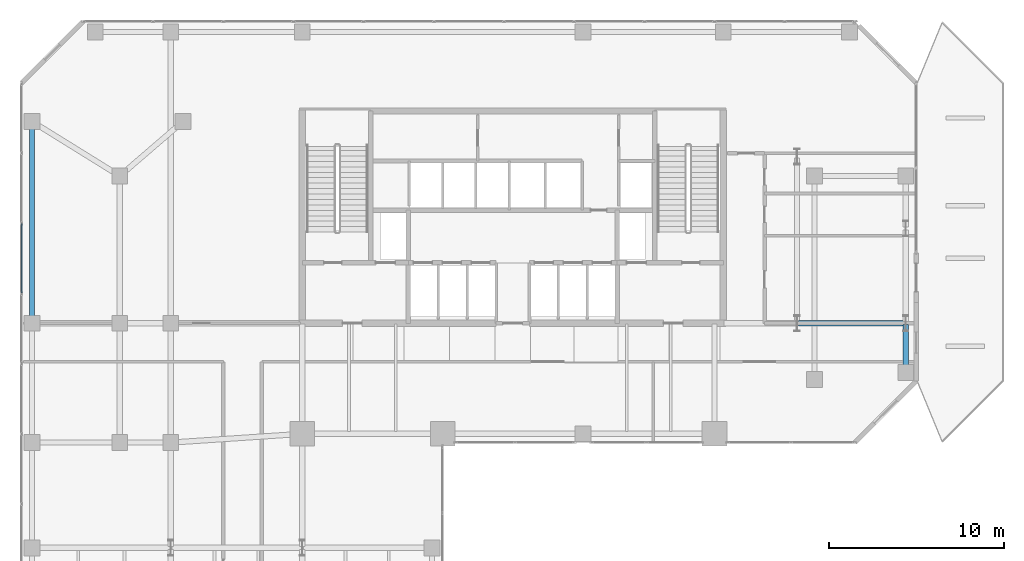
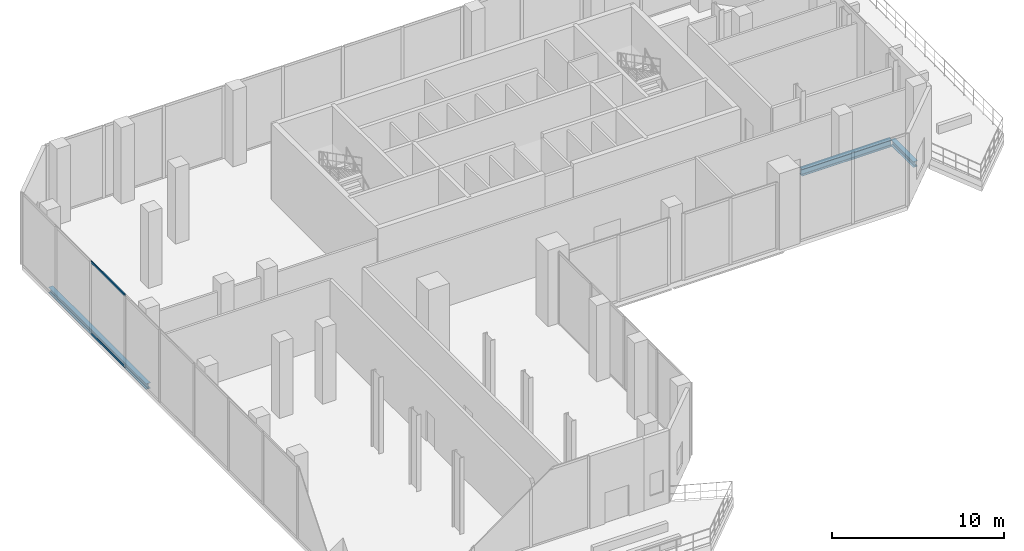
# One storey, part 12 of 24: 3 beams, 2 members, 1 element without a shape of its own.
"""IFC4 building model written with IfcOpenShell, lengths in metres."""

import ifcopenshell
import ifcopenshell.guid

model = None  # the IFC model being written
_history = None  # IfcOwnerHistory: only IFC2X3 demands one
_inside = {}  # id of a spatial element -> (the spatial element, [elements in it])
_under = {}  # id of a project, library or spatial element -> (it, [spatial elements below it])
_declared = {}  # id of a project -> (the project, [libraries it declares])
_typed = {}  # id of a type object -> (the type object, [elements of that type])
_made_of = {}  # id of a material, layer set ... -> (it, [elements and type objects made of it])


def new_model(schema):
    """Start an empty IFC model of exactly this schema.

    Asked for "IFC4X3", IfcOpenShell would pick the latest addendum, in which some entities
    have other attributes; the version numbers below select the first issue.
    IFC2X3 requires an IfcOwnerHistory on every rooted entity: one is made here for all.
    """
    global model, _history
    if schema == "IFC4X3":
        model = ifcopenshell.file(schema_version=(4, 3, 0, 0))
    else:
        model = ifcopenshell.file(schema=schema)
    _inside.clear()
    _under.clear()
    _declared.clear()
    _typed.clear()
    _made_of.clear()
    _history = None
    if model.schema == "IFC2X3":
        org = make("IfcOrganization", Name="unknown")
        user = make(
            "IfcPersonAndOrganization",
            ThePerson=make("IfcPerson", FamilyName="unknown"),
            TheOrganization=org,
        )
        app = make(
            "IfcApplication",
            ApplicationDeveloper=org,
            Version="unknown",
            ApplicationFullName="unknown",
            ApplicationIdentifier="unknown",
        )
        _history = make(
            "IfcOwnerHistory",
            OwningUser=user,
            OwningApplication=app,
            ChangeAction="ADDED",
            CreationDate=0,
        )
    return model


def make(cls, **values):
    """One entity of the class cls with the attributes given. An attribute that is None is left unset."""
    return model.create_entity(
        cls, **{name: value for name, value in values.items() if value is not None}
    )


def rooted(cls, **values):
    """An entity with a GlobalId (a new one), such as an element, a storey or a relation."""
    return make(cls, GlobalId=ifcopenshell.guid.new(), OwnerHistory=_history, **values)


def si_unit(unit_type, name, prefix=None):
    """IfcSIUnit, for example si_unit("LENGTHUNIT", "METRE", prefix="MILLI")."""
    return make("IfcSIUnit", UnitType=unit_type, Prefix=prefix, Name=name)


def assignment(units):
    """IfcUnitAssignment: the units of a project."""
    return None if units is None else make("IfcUnitAssignment", Units=units)


def point(xyz):
    """IfcCartesianPoint."""
    return None if xyz is None else make("IfcCartesianPoint", Coordinates=xyz)


def direction(xyz):
    """IfcDirection."""
    return None if xyz is None else make("IfcDirection", DirectionRatios=xyz)


def frame(location, z_axis=None, x_axis=None):
    """IfcAxis2Placement3D, a coordinate frame: its origin and axes. An axis left out is left unset."""
    return make(
        "IfcAxis2Placement3D",
        Location=point(location),
        Axis=direction(z_axis),
        RefDirection=direction(x_axis),
    )


def frame_2d(location, x_axis=None):
    """IfcAxis2Placement2D, a coordinate frame in the plane: its origin and x axis."""
    return make(
        "IfcAxis2Placement2D", Location=point(location), RefDirection=direction(x_axis)
    )


def origin():
    """The frame at (0, 0, 0) with its axes left unset."""
    return frame((0.0, 0.0, 0.0))


def origin_2d():
    """The frame at (0, 0) in the plane with its x axis left unset."""
    return frame_2d((0.0, 0.0))


def place(relative_to, where):
    """IfcLocalPlacement: puts the frame where relative to a parent placement (None: the world)."""
    return make(
        "IfcLocalPlacement", PlacementRelTo=relative_to, RelativePlacement=where
    )


def context(
    kind, dimensions, precision=None, world=None, true_north=None, identifier=None
):
    """IfcGeometricRepresentationContext, for example the 3D "Model" context."""
    return make(
        "IfcGeometricRepresentationContext",
        ContextIdentifier=identifier,
        ContextType=kind,
        CoordinateSpaceDimension=dimensions,
        Precision=precision,
        WorldCoordinateSystem=world,
        TrueNorth=true_north,
    )


def subcontext(parent, identifier, kind, view, scale=None):
    """IfcGeometricRepresentationSubContext, for example "Body" below "Model"."""
    return make(
        "IfcGeometricRepresentationSubContext",
        ContextIdentifier=identifier,
        ContextType=kind,
        ParentContext=parent,
        TargetScale=scale,
        TargetView=view,
    )


def project(units=None, contexts=None):
    """IfcProject with its units and contexts."""
    return rooted(
        "IfcProject",
        Name="project",
        RepresentationContexts=contexts,
        UnitsInContext=assignment(units),
    )


def spatial(cls, under=None, at=None, **own):
    """A site, building, storey or space (cls), placed at a placement, below another one or the project."""
    s = rooted(cls, ObjectPlacement=at, **own)
    if under is not None:
        _under.setdefault(under.id(), (under, []))[1].append(s)
    return s


def profile(cls, at=None, kind="AREA", **sizes):
    """A parametric profile (cls). Its sizes go by their IFC names, for example OverallWidth=200.0."""
    return make(cls, ProfileType=kind, Position=at, **sizes)


def hollow_rectangle(**sizes):
    """IfcRectangleHollowProfileDef."""
    return profile("IfcRectangleHollowProfileDef", **sizes)


def i_section(**sizes):
    """IfcIShapeProfileDef."""
    return profile("IfcIShapeProfileDef", **sizes)


def extrude(swept, where, along, depth):
    """IfcExtrudedAreaSolid: the profile swept, set in the frame where, extruded along a direction by depth."""
    return make(
        "IfcExtrudedAreaSolid",
        SweptArea=swept,
        Position=where,
        ExtrudedDirection=direction(along),
        Depth=depth,
    )


def shape(context_of_items, identifier, shape_type, items):
    """IfcShapeRepresentation: the items that make up one representation, for example the "Body"."""
    return make(
        "IfcShapeRepresentation",
        ContextOfItems=context_of_items,
        RepresentationIdentifier=identifier,
        RepresentationType=shape_type,
        Items=items,
    )


def material(Name=None, Category=None):
    """IfcMaterial."""
    return make("IfcMaterial", Name=Name, Category=Category)


def layer(
    of_material, thickness, ventilated=None, Name=None, Category=None, Priority=None
):
    """IfcMaterialLayer: one layer of a wall or slab, of a material (None: an air gap)."""
    return make(
        "IfcMaterialLayer",
        Material=of_material,
        LayerThickness=thickness,
        IsVentilated=ventilated,
        Name=Name,
        Category=Category,
        Priority=Priority,
    )


def layer_set(layers, Name=None):
    """IfcMaterialLayerSet."""
    return make("IfcMaterialLayerSet", MaterialLayers=layers, LayerSetName=Name)


def material_profile(
    of_material, cross_section, Name=None, Category=None, Priority=None
):
    """IfcMaterialProfile: a cross section and its material."""
    return make(
        "IfcMaterialProfile",
        Name=Name,
        Material=of_material,
        Profile=cross_section,
        Priority=Priority,
        Category=Category,
    )


def profile_set(profiles, Name=None, composite=None):
    """IfcMaterialProfileSet."""
    return make(
        "IfcMaterialProfileSet",
        Name=Name,
        MaterialProfiles=profiles,
        CompositeProfile=composite,
    )


def made_of(thing, what):
    """Note that an element or type object is made of a material, layer set ...; save() writes the relation."""
    if what is not None:
        _made_of.setdefault(what.id(), (what, []))[1].append(thing)
    return thing


def type_object(cls, material=None, **own):
    """A type object (cls), such as IfcWallType, which elements share."""
    return made_of(rooted(cls, **own), material)


def element(
    cls,
    number,
    at=None,
    inside=None,
    cuts=None,
    type_object=None,
    material=None,
    context=None,
    identifier="Body",
    shape_type=None,
    held_by="IfcProductDefinitionShape",
    body=None,
    shapes=None,
    **own,
):
    """One element of the class cls, such as IfcWall. Its Tag is "e" and its number.

    at: its placement. inside: the storey or other place that contains it. cuts: it is an
    opening in that element (IfcRelVoidsElement). A single representation is given by context,
    identifier, shape_type and body (its items); several are given by shapes. held_by: the class
    of the entity that holds the representations. save() writes the other relations.
    """
    e = rooted(cls, Tag="e%d" % number, ObjectPlacement=at, **own)
    if body is not None:
        shapes = [shape(context, identifier, shape_type, body)]
    if shapes is not None:
        e.Representation = make(held_by, Representations=shapes)
    if inside is not None:
        _inside.setdefault(inside.id(), (inside, []))[1].append(e)
    if cuts is not None:
        rooted(
            "IfcRelVoidsElement", RelatingBuildingElement=cuts, RelatedOpeningElement=e
        )
    if type_object is not None:
        _typed.setdefault(type_object.id(), (type_object, []))[1].append(e)
    return made_of(e, material)


def aggregate(whole, parts):
    """IfcRelAggregates: a whole, such as a stair, and the parts it consists of."""
    return rooted("IfcRelAggregates", RelatingObject=whole, RelatedObjects=parts)


def save(model, path):
    """Write the relations noted so far, then the file.

    IfcRelAggregates (storeys below a building ...), IfcRelContainedInSpatialStructure (elements
    in a storey), IfcRelDefinesByType, IfcRelAssociatesMaterial and IfcRelDeclares: one each for
    every whole, place, type object, material and project.
    """
    for whole, parts in _under.values():
        aggregate(whole, parts)
    for where, things in _inside.values():
        rooted(
            "IfcRelContainedInSpatialStructure",
            RelatedElements=things,
            RelatingStructure=where,
        )
    for kind, things in _typed.values():
        rooted("IfcRelDefinesByType", RelatedObjects=things, RelatingType=kind)
    for what, things in _made_of.values():
        rooted("IfcRelAssociatesMaterial", RelatedObjects=things, RelatingMaterial=what)
    for by, libraries in _declared.values():
        rooted("IfcRelDeclares", RelatingContext=by, RelatedDefinitions=libraries)
    model.write(path)


model = new_model("IFC4")

# Units and contexts
model_context = context("Model", 3, precision=1e-05, world=origin(), true_north=direction((0.0, 1.0)))
body_context = subcontext(model_context, "Body", "Model", "MODEL_VIEW")
ifc_project = project(units=[si_unit("LENGTHUNIT", "METRE"), si_unit("AREAUNIT", "SQUARE_METRE"), si_unit("VOLUMEUNIT", "CUBIC_METRE"), si_unit("PLANEANGLEUNIT", "RADIAN"), si_unit("MASSUNIT", "GRAM", prefix="KILO")], contexts=[model_context])

# Site, building, storey
site_placement = place(None, origin())
site = spatial("IfcSite", under=ifc_project, at=site_placement, CompositionType="ELEMENT")
building_placement = place(site_placement, origin())
building = spatial("IfcBuilding", under=site, at=building_placement, Name="Catumbela Crestline Tower", CompositionType="ELEMENT")
storey_placement = place(building_placement, frame((0.0, 0.0, 84.6)))
storey = spatial("IfcBuildingStorey", under=building, at=storey_placement, Name="L21", CompositionType="ELEMENT", Elevation=84.6)

# Beams
ifc_material_1 = material(Name="Structural steel S355J2", Category="steel")
ifc_material_profile_1 = material_profile(ifc_material_1, i_section(OverallWidth=0.3, OverallDepth=0.49, WebThickness=0.012, FlangeThickness=0.023, FilletRadius=0.027, at=origin_2d()), Name="HEA 500")
ifc_profile_set_1 = profile_set([ifc_material_profile_1], Name="Structural steel S355J2")
beam_type_1 = type_object("IfcBeamType", Name="BG-HEA500", PredefinedType="BEAM", material=ifc_profile_set_1)
beam_1_placement = place(storey_placement, frame((44.28, 30.8, -0.595), z_axis=(1.0, 0.0, 0.0), x_axis=(0.0, 1.0, 0.0)))
element("IfcBeam", 1, at=beam_1_placement, inside=storey, type_object=beam_type_1, Name="L21 Beam BM-L21-M11", PredefinedType="BEAM", context=body_context, shape_type="SweptSolid", body=[
    extrude(i_section(OverallWidth=0.3, OverallDepth=0.49, WebThickness=0.012, FlangeThickness=0.023, FilletRadius=0.027, at=origin_2d()), origin(), (0.0, 0.0, 1.0), 6.04),
])
ifc_material_profile_2 = material_profile(ifc_material_1, i_section(OverallWidth=0.3, OverallDepth=0.4, WebThickness=0.0135, FlangeThickness=0.024, FilletRadius=0.027, at=origin_2d()), Name="HEB 400")
ifc_profile_set_2 = profile_set([ifc_material_profile_2], Name="Structural steel S355J2")
beam_type_2 = type_object("IfcBeamType", Name="BS-HEB400", PredefinedType="SPANDREL", material=ifc_profile_set_2)
beam_2_placement = place(storey_placement, frame((0.6, 30.88, -0.55), z_axis=(0.0, 1.0, 0.0), x_axis=(-1.0, 0.0, 0.0)))
element("IfcBeam", 2, at=beam_2_placement, inside=storey, type_object=beam_type_2, Name="L21 Spandrel SP-L21-SN23", PredefinedType="SPANDREL", context=body_context, shape_type="SweptSolid", body=[
    extrude(i_section(OverallWidth=0.3, OverallDepth=0.4, WebThickness=0.0135, FlangeThickness=0.024, FilletRadius=0.027, at=origin_2d()), origin(), (0.0, 0.0, 1.0), 11.34),
])
beam_3_placement = place(storey_placement, frame((50.4, 28.08, -0.55), z_axis=(0.0, 1.0, 0.0), x_axis=(-1.0, 0.0, 0.0)))
element("IfcBeam", 3, at=beam_3_placement, inside=storey, type_object=beam_type_2, Name="L21 Spandrel SP-L21-SN34", PredefinedType="SPANDREL", context=body_context, shape_type="SweptSolid", body=[
    extrude(i_section(OverallWidth=0.3, OverallDepth=0.4, WebThickness=0.0135, FlangeThickness=0.024, FilletRadius=0.027, at=origin_2d()), origin(), (0.0, 0.0, 1.0), 2.64),
])

# Curtain wall, members
ifc_material_2 = material(Name="Aluminium alloy AW-6060-T66", Category="aluminium")
ifc_layer = layer(ifc_material_2, 0.18, Name="Aluminium alloy AW-6060-T66")
ifc_layer_set = layer_set([ifc_layer], Name="Aluminium alloy AW-6060-T66")
curtain_wall_type = type_object("IfcCurtainWallType", Name="CWU-SKY", PredefinedType="USERDEFINED", material=ifc_layer_set)
curtain_wall_placement = place(storey_placement, origin())
curtain_wall = element("IfcCurtainWall", 4, at=curtain_wall_placement, inside=storey, type_object=curtain_wall_type, Name="L21 Unitised Curtain Wall CW-L21-E9S1", ObjectType="UNITISED", PredefinedType="USERDEFINED")
ifc_material_profile_3 = material_profile(ifc_material_2, hollow_rectangle(XDim=0.06, YDim=0.16, WallThickness=0.004, at=origin_2d()), Name="ALU 160x60x4")
ifc_profile_set_3 = profile_set([ifc_material_profile_3], Name="Aluminium alloy AW-6060-T66")
member_type = type_object("IfcMemberType", Name="TRN-160X60", PredefinedType="USERDEFINED", material=ifc_profile_set_3)
member_1_placement = place(storey_placement, frame((0.0, 36.4675, 0.03), z_axis=(0.0, -1.0, 0.0), x_axis=(1.0, 0.0, 0.0)))
member_1 = element("IfcMember", 5, at=member_1_placement, type_object=member_type, Name="CWU-SKY transom 3.1", ObjectType="TRANSOM", PredefinedType="USERDEFINED", context=body_context, shape_type="SweptSolid", body=[
    extrude(hollow_rectangle(XDim=0.06, YDim=0.16, WallThickness=0.004, at=origin_2d()), origin(), (0.0, 0.0, 1.0), 3.935),
])
member_2_placement = place(storey_placement, frame((0.0, 36.4675, 5.1), z_axis=(0.0, -1.0, 0.0), x_axis=(1.0, 0.0, 0.0)))
member_2 = element("IfcMember", 6, at=member_2_placement, type_object=member_type, Name="CWU-SKY transom 3.2", ObjectType="TRANSOM", PredefinedType="USERDEFINED", context=body_context, shape_type="SweptSolid", body=[
    extrude(hollow_rectangle(XDim=0.06, YDim=0.16, WallThickness=0.004, at=origin_2d()), origin(), (0.0, 0.0, 1.0), 3.935),
])
aggregate(curtain_wall, [member_1, member_2])

save(model, "model.ifc")
